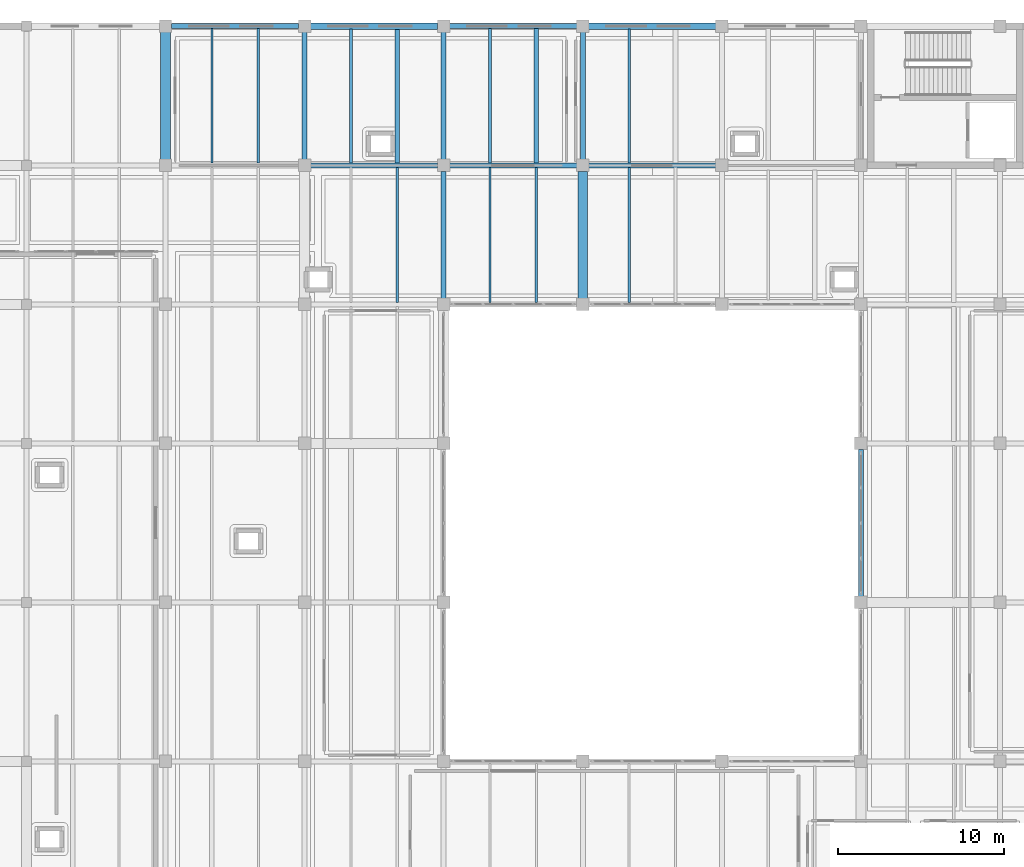
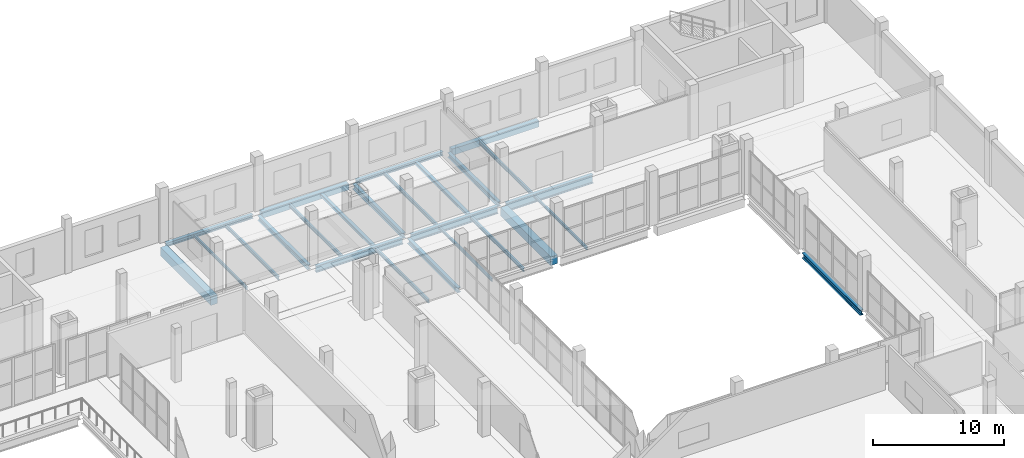
# One storey, part 45 of 77: 25 beams.
"""IFC4 building model written with IfcOpenShell, lengths in metres."""

from ifc_helpers import new_model, si_unit, direction, frame, origin, origin_2d, place, context, subcontext, project, spatial, rectangle, i_section, extrude, material, material_profile, profile_set, type_object, element, save


model = new_model("IFC4")

# Units and contexts
model_context = context("Model", 3, precision=1e-05, world=origin(), true_north=direction((0.0, 1.0)))
body_context = subcontext(model_context, "Body", "Model", "MODEL_VIEW")
ifc_project = project(units=[si_unit("LENGTHUNIT", "METRE"), si_unit("AREAUNIT", "SQUARE_METRE"), si_unit("VOLUMEUNIT", "CUBIC_METRE"), si_unit("PLANEANGLEUNIT", "RADIAN"), si_unit("MASSUNIT", "GRAM", prefix="KILO")], contexts=[model_context])

# Site, building, storey
site_placement = place(None, origin())
site = spatial("IfcSite", under=ifc_project, at=site_placement, CompositionType="ELEMENT")
building_placement = place(site_placement, origin())
building = spatial("IfcBuilding", under=site, at=building_placement, Name="Zulmaris Art Gallery", CompositionType="ELEMENT")
storey_placement = place(building_placement, frame((0.0, 0.0, 15.60009765625)))
storey = spatial("IfcBuildingStorey", under=building, at=storey_placement, Name="L03", CompositionType="ELEMENT", Elevation=15.60009765625)

# Beams
ifc_material_1 = material(Name="Steel S355J2", Category="steel")
ifc_material_profile_1 = material_profile(ifc_material_1, i_section(OverallWidth=0.300048828125, OverallDepth=0.43994140625, WebThickness=0.011474609375, FlangeThickness=0.02099609375, FilletRadius=0.027099609375, at=origin_2d()), Name="HEA 450")
ifc_profile_set_1 = profile_set([ifc_material_profile_1], Name="Steel S355J2")
beam_type_1 = type_object("IfcBeamType", Name="BEAM-BM10", PredefinedType="BEAM", material=ifc_profile_set_1)
beam_1_placement = place(storey_placement, frame((150.0, 67.56005859375, -0.6201171875), z_axis=(0.0, 1.0, 0.0), x_axis=(-1.0, 0.0, 0.0)))
element("IfcBeam", 1, at=beam_1_placement, inside=storey, type_object=beam_type_1, Name="L03 Y-girder (x=150.0, 67.2..75.6)", PredefinedType="BEAM", context=body_context, shape_type="SweptSolid", body=[
    extrude(i_section(OverallWidth=0.300048828125, OverallDepth=0.43994140625, WebThickness=0.011474609375, FlangeThickness=0.02099609375, FilletRadius=0.027099609375, at=origin_2d()), origin(), (0.0, 0.0, 1.0), 7.679931640625),
])
beam_2_placement = place(storey_placement, frame((158.39990234375, 59.159912109375, -0.6201171875), z_axis=(0.0, 1.0, 0.0), x_axis=(-1.0, 0.0, 0.0)))
element("IfcBeam", 2, at=beam_2_placement, inside=storey, type_object=beam_type_1, Name="L03 Y-girder (x=158.4, 58.8..67.2)", PredefinedType="BEAM", context=body_context, shape_type="SweptSolid", body=[
    extrude(i_section(OverallWidth=0.300048828125, OverallDepth=0.43994140625, WebThickness=0.011474609375, FlangeThickness=0.02099609375, FilletRadius=0.027099609375, at=origin_2d()), origin(), (0.0, 0.0, 1.0), 7.68017578125),
])
beam_3_placement = place(storey_placement, frame((166.800048828125, 67.56005859375, -0.6201171875), z_axis=(0.0, 1.0, 0.0), x_axis=(-1.0, 0.0, 0.0)))
element("IfcBeam", 3, at=beam_3_placement, inside=storey, type_object=beam_type_1, Name="L03 Y-girder (x=166.8, 67.2..75.6)", PredefinedType="BEAM", context=body_context, shape_type="SweptSolid", body=[
    extrude(i_section(OverallWidth=0.300048828125, OverallDepth=0.43994140625, WebThickness=0.011474609375, FlangeThickness=0.02099609375, FilletRadius=0.027099609375, at=origin_2d()), origin(), (0.0, 0.0, 1.0), 7.679931640625),
])
ifc_material_profile_2 = material_profile(ifc_material_1, i_section(OverallWidth=0.300048828125, OverallDepth=0.489990234375, WebThickness=0.011962890625, FlangeThickness=0.02294921875, FilletRadius=0.027099609375, at=origin_2d()), Name="HEA 500")
ifc_profile_set_2 = profile_set([ifc_material_profile_2], Name="Steel S355J2")
beam_type_2 = type_object("IfcBeamType", Name="BEAM-BM11", PredefinedType="BEAM", material=ifc_profile_set_2)
beam_4_placement = place(storey_placement, frame((158.39990234375, 67.56005859375, -0.614990234375), z_axis=(0.0, 1.0, 0.0), x_axis=(-1.0, 0.0, 0.0)))
element("IfcBeam", 4, at=beam_4_placement, inside=storey, type_object=beam_type_2, Name="L03 Y-girder (x=158.4, 67.2..75.6)", PredefinedType="BEAM", context=body_context, shape_type="SweptSolid", body=[
    extrude(i_section(OverallWidth=0.300048828125, OverallDepth=0.489990234375, WebThickness=0.011962890625, FlangeThickness=0.02294921875, FilletRadius=0.027099609375, at=origin_2d()), origin(), (0.0, 0.0, 1.0), 7.679931640625),
])
beam_5_placement = place(storey_placement, frame((183.60009765625, 41.159912109375, -0.614990234375), z_axis=(0.0, 1.0, 0.0), x_axis=(-1.0, 0.0, 0.0)))
element("IfcBeam", 5, at=beam_5_placement, inside=storey, type_object=beam_type_2, Name="L03 Y-girder (x=183.6, 40.8..50.4)", PredefinedType="BEAM", context=body_context, shape_type="SweptSolid", body=[
    extrude(i_section(OverallWidth=0.300048828125, OverallDepth=0.489990234375, WebThickness=0.011962890625, FlangeThickness=0.02294921875, FilletRadius=0.027099609375, at=origin_2d()), origin(), (0.0, 0.0, 1.0), 8.880126953125),
])
ifc_material_profile_3 = material_profile(ifc_material_1, i_section(OverallWidth=0.300048828125, OverallDepth=0.60009765625, WebThickness=0.015380859375, FlangeThickness=0.030029296875, FilletRadius=0.027099609375, at=origin_2d()), Name="HEB 600")
ifc_profile_set_3 = profile_set([ifc_material_profile_3], Name="Steel S355J2")
beam_type_3 = type_object("IfcBeamType", Name="BEAM-BM15", PredefinedType="BEAM", material=ifc_profile_set_3)
beam_6_placement = place(storey_placement, frame((150.360107421875, 67.199951171875, -0.670166015625), z_axis=(1.0, 0.0, 0.0), x_axis=(0.0, 1.0, 0.0)))
element("IfcBeam", 6, at=beam_6_placement, inside=storey, type_object=beam_type_3, Name="L03 X-girder (150.0..158.4, y=67.2)", PredefinedType="BEAM", context=body_context, shape_type="SweptSolid", body=[
    extrude(i_section(OverallWidth=0.300048828125, OverallDepth=0.60009765625, WebThickness=0.015380859375, FlangeThickness=0.030029296875, FilletRadius=0.027099609375, at=origin_2d()), origin(), (0.0, 0.0, 1.0), 7.679931640625),
])
ifc_material_profile_4 = material_profile(ifc_material_1, i_section(OverallWidth=0.300048828125, OverallDepth=0.699951171875, WebThickness=0.01708984375, FlangeThickness=0.031982421875, FilletRadius=0.027099609375, at=origin_2d()), Name="HEB 700")
ifc_profile_set_4 = profile_set([ifc_material_profile_4], Name="Steel S355J2")
beam_type_4 = type_object("IfcBeamType", Name="BEAM-BM16", PredefinedType="BEAM", material=ifc_profile_set_4)
beam_7_placement = place(storey_placement, frame((158.760009765625, 67.199951171875, -0.72021484375), z_axis=(1.0, 0.0, 0.0), x_axis=(0.0, 1.0, 0.0)))
element("IfcBeam", 7, at=beam_7_placement, inside=storey, type_object=beam_type_4, Name="L03 X-girder (158.4..166.8, y=67.2)", PredefinedType="BEAM", context=body_context, shape_type="SweptSolid", body=[
    extrude(i_section(OverallWidth=0.300048828125, OverallDepth=0.699951171875, WebThickness=0.01708984375, FlangeThickness=0.031982421875, FilletRadius=0.027099609375, at=origin_2d()), origin(), (0.0, 0.0, 1.0), 7.679931640625),
])
ifc_material_profile_5 = material_profile(ifc_material_1, i_section(OverallWidth=0.300048828125, OverallDepth=0.800048828125, WebThickness=0.017578125, FlangeThickness=0.032958984375, FilletRadius=0.030029296875, at=origin_2d()), Name="HEB 800")
ifc_profile_set_5 = profile_set([ifc_material_profile_5], Name="Steel S355J2")
beam_type_5 = type_object("IfcBeamType", Name="BEAM-BM17", PredefinedType="BEAM", material=ifc_profile_set_5)
beam_8_placement = place(storey_placement, frame((167.159912109375, 67.199951171875, -0.77001953125), z_axis=(1.0, 0.0, 0.0), x_axis=(0.0, 1.0, 0.0)))
element("IfcBeam", 8, at=beam_8_placement, inside=storey, type_object=beam_type_5, Name="L03 X-girder (166.8..175.2, y=67.2)", PredefinedType="BEAM", context=body_context, shape_type="SweptSolid", body=[
    extrude(i_section(OverallWidth=0.300048828125, OverallDepth=0.800048828125, WebThickness=0.017578125, FlangeThickness=0.032958984375, FilletRadius=0.030029296875, at=origin_2d()), origin(), (0.0, 0.0, 1.0), 7.68017578125),
])
ifc_material_2 = material(Name="Concrete C40/50", Category="concrete")
ifc_material_profile_6 = material_profile(ifc_material_2, rectangle(XDim=0.60009765625, YDim=0.800048828125, at=origin_2d()), Name="RC 600x800")
ifc_profile_set_6 = profile_set([ifc_material_profile_6], Name="Concrete C40/50")
beam_type_6 = type_object("IfcBeamType", Name="BEAM-BM27", PredefinedType="BEAM", material=ifc_profile_set_6)
beam_9_placement = place(storey_placement, frame((141.60009765625, 67.56005859375, -0.77001953125), z_axis=(0.0, 1.0, 0.0), x_axis=(-1.0, 0.0, 0.0)))
element("IfcBeam", 9, at=beam_9_placement, inside=storey, type_object=beam_type_6, Name="L03 Y-girder (x=141.6, 67.2..75.6)", PredefinedType="BEAM", context=body_context, shape_type="SweptSolid", body=[
    extrude(rectangle(XDim=0.60009765625, YDim=0.800048828125, at=origin_2d()), origin(), (0.0, 0.0, 1.0), 7.679931640625),
])
beam_10_placement = place(storey_placement, frame((166.800048828125, 59.159912109375, -0.77001953125), z_axis=(0.0, 1.0, 0.0), x_axis=(-1.0, 0.0, 0.0)))
element("IfcBeam", 10, at=beam_10_placement, inside=storey, type_object=beam_type_6, Name="L03 Y-girder (x=166.8, 58.8..67.2)", PredefinedType="BEAM", context=body_context, shape_type="SweptSolid", body=[
    extrude(rectangle(XDim=0.60009765625, YDim=0.800048828125, at=origin_2d()), origin(), (0.0, 0.0, 1.0), 7.68017578125),
])
ifc_material_profile_7 = material_profile(ifc_material_1, i_section(OverallWidth=0.135009765625, OverallDepth=0.27001953125, WebThickness=0.006591796875, FlangeThickness=0.01025390625, FilletRadius=0.014892578125, at=origin_2d()), Name="IPE 270")
ifc_profile_set_7 = profile_set([ifc_material_profile_7], Name="Steel S355J2")
beam_type_7 = type_object("IfcBeamType", Name="BEAM-JS02", PredefinedType="JOIST", material=ifc_profile_set_7)
beam_11_placement = place(storey_placement, frame((144.39990234375, 67.324951171875, -0.505126953125), z_axis=(0.0, 1.0, 0.0), x_axis=(-1.0, 0.0, 0.0)))
element("IfcBeam", 11, at=beam_11_placement, inside=storey, type_object=beam_type_7, Name="L03 secondary joist at x=144.4", PredefinedType="JOIST", context=body_context, shape_type="SweptSolid", body=[
    extrude(i_section(OverallWidth=0.135009765625, OverallDepth=0.27001953125, WebThickness=0.006591796875, FlangeThickness=0.01025390625, FilletRadius=0.014892578125, at=origin_2d()), origin(), (0.0, 0.0, 1.0), 8.150146484375),
])
for number, where, z_axis, x_axis, name in (
    (12, (161.199951171875, 58.925048828125, -0.505126953125), (0.0, 1.0, 0.0), (-1.0, 0.0, 0.0), "L03 secondary joist at x=161.2"),
    (13, (169.60009765625, 58.925048828125, -0.505126953125), (0.0, 1.0, 0.0), (-1.0, 0.0, 0.0), "L03 secondary joist at x=169.6"),
):
    element("IfcBeam", number, at=place(storey_placement, frame(where, z_axis=z_axis, x_axis=x_axis)), inside=storey, type_object=beam_type_7, Name=name, PredefinedType="JOIST", context=body_context, shape_type="SweptSolid", body=[
        extrude(i_section(OverallWidth=0.135009765625, OverallDepth=0.27001953125, WebThickness=0.006591796875, FlangeThickness=0.01025390625, FilletRadius=0.014892578125, at=origin_2d()), origin(), (0.0, 0.0, 1.0), 8.14990234375),
    ])
ifc_material_profile_8 = material_profile(ifc_material_1, i_section(OverallWidth=0.159912109375, OverallDepth=0.330078125, WebThickness=0.007568359375, FlangeThickness=0.011474609375, FilletRadius=0.01806640625, at=origin_2d()), Name="IPE 330")
ifc_profile_set_8 = profile_set([ifc_material_profile_8], Name="Steel S355J2")
beam_type_8 = type_object("IfcBeamType", Name="BEAM-JS03", PredefinedType="JOIST", material=ifc_profile_set_8)
beam_12_placement = place(storey_placement, frame((147.199951171875, 67.324951171875, -0.53515625), z_axis=(0.0, 1.0, 0.0), x_axis=(-1.0, 0.0, 0.0)))
element("IfcBeam", 14, at=beam_12_placement, inside=storey, type_object=beam_type_8, Name="L03 secondary joist at x=147.2", PredefinedType="JOIST", context=body_context, shape_type="SweptSolid", body=[
    extrude(i_section(OverallWidth=0.159912109375, OverallDepth=0.330078125, WebThickness=0.007568359375, FlangeThickness=0.011474609375, FilletRadius=0.01806640625, at=origin_2d()), origin(), (0.0, 0.0, 1.0), 8.150146484375),
])
beam_13_placement = place(storey_placement, frame((155.60009765625, 58.925048828125, -0.53515625), z_axis=(0.0, 1.0, 0.0), x_axis=(-1.0, 0.0, 0.0)))
element("IfcBeam", 15, at=beam_13_placement, inside=storey, type_object=beam_type_8, Name="L03 secondary joist at x=155.6", PredefinedType="JOIST", context=body_context, shape_type="SweptSolid", body=[
    extrude(i_section(OverallWidth=0.159912109375, OverallDepth=0.330078125, WebThickness=0.007568359375, FlangeThickness=0.011474609375, FilletRadius=0.01806640625, at=origin_2d()), origin(), (0.0, 0.0, 1.0), 8.14990234375),
])
beam_14_placement = place(storey_placement, frame((152.800048828125, 67.324951171875, -0.53515625), z_axis=(0.0, 1.0, 0.0), x_axis=(-1.0, 0.0, 0.0)))
element("IfcBeam", 16, at=beam_14_placement, inside=storey, type_object=beam_type_8, Name="L03 secondary joist at x=152.8", PredefinedType="JOIST", context=body_context, shape_type="SweptSolid", body=[
    extrude(i_section(OverallWidth=0.159912109375, OverallDepth=0.330078125, WebThickness=0.007568359375, FlangeThickness=0.011474609375, FilletRadius=0.01806640625, at=origin_2d()), origin(), (0.0, 0.0, 1.0), 8.10009765625),
])
beam_15_placement = place(storey_placement, frame((164.0, 58.925048828125, -0.53515625), z_axis=(0.0, 1.0, 0.0), x_axis=(-1.0, 0.0, 0.0)))
element("IfcBeam", 17, at=beam_15_placement, inside=storey, type_object=beam_type_8, Name="L03 secondary joist at x=164.0", PredefinedType="JOIST", context=body_context, shape_type="SweptSolid", body=[
    extrude(i_section(OverallWidth=0.159912109375, OverallDepth=0.330078125, WebThickness=0.007568359375, FlangeThickness=0.011474609375, FilletRadius=0.01806640625, at=origin_2d()), origin(), (0.0, 0.0, 1.0), 8.14990234375),
])
beam_16_placement = place(storey_placement, frame((161.199951171875, 67.324951171875, -0.53515625), z_axis=(0.0, 1.0, 0.0), x_axis=(-1.0, 0.0, 0.0)))
element("IfcBeam", 18, at=beam_16_placement, inside=storey, type_object=beam_type_8, Name="L03 secondary joist at x=161.2", PredefinedType="JOIST", context=body_context, shape_type="SweptSolid", body=[
    extrude(i_section(OverallWidth=0.159912109375, OverallDepth=0.330078125, WebThickness=0.007568359375, FlangeThickness=0.011474609375, FilletRadius=0.01806640625, at=origin_2d()), origin(), (0.0, 0.0, 1.0), 8.150146484375),
])
beam_17_placement = place(storey_placement, frame((169.60009765625, 67.324951171875, -0.53515625), z_axis=(0.0, 1.0, 0.0), x_axis=(-1.0, 0.0, 0.0)))
element("IfcBeam", 19, at=beam_17_placement, inside=storey, type_object=beam_type_8, Name="L03 secondary joist at x=169.6", PredefinedType="JOIST", context=body_context, shape_type="SweptSolid", body=[
    extrude(i_section(OverallWidth=0.159912109375, OverallDepth=0.330078125, WebThickness=0.007568359375, FlangeThickness=0.011474609375, FilletRadius=0.01806640625, at=origin_2d()), origin(), (0.0, 0.0, 1.0), 8.10009765625),
])
ifc_material_profile_9 = material_profile(ifc_material_1, i_section(OverallWidth=0.280029296875, OverallDepth=0.27001953125, WebThickness=0.008056640625, FlangeThickness=0.012939453125, FilletRadius=0.02392578125, at=origin_2d()), Name="HEA 280")
ifc_profile_set_9 = profile_set([ifc_material_profile_9], Name="Steel S355J2")
beam_type_9 = type_object("IfcBeamType", Name="BEAM-JS04", PredefinedType="JOIST", material=ifc_profile_set_9)
beam_18_placement = place(storey_placement, frame((155.60009765625, 67.324951171875, -0.505126953125), z_axis=(0.0, 1.0, 0.0), x_axis=(-1.0, 0.0, 0.0)))
element("IfcBeam", 20, at=beam_18_placement, inside=storey, type_object=beam_type_9, Name="L03 secondary joist at x=155.6", PredefinedType="JOIST", context=body_context, shape_type="SweptSolid", body=[
    extrude(i_section(OverallWidth=0.280029296875, OverallDepth=0.27001953125, WebThickness=0.008056640625, FlangeThickness=0.012939453125, FilletRadius=0.02392578125, at=origin_2d()), origin(), (0.0, 0.0, 1.0), 8.10009765625),
])
beam_19_placement = place(storey_placement, frame((164.0, 67.324951171875, -0.505126953125), z_axis=(0.0, 1.0, 0.0), x_axis=(-1.0, 0.0, 0.0)))
element("IfcBeam", 21, at=beam_19_placement, inside=storey, type_object=beam_type_9, Name="L03 secondary joist at x=164.0", PredefinedType="JOIST", context=body_context, shape_type="SweptSolid", body=[
    extrude(i_section(OverallWidth=0.280029296875, OverallDepth=0.27001953125, WebThickness=0.008056640625, FlangeThickness=0.012939453125, FilletRadius=0.02392578125, at=origin_2d()), origin(), (0.0, 0.0, 1.0), 8.150146484375),
])
ifc_material_profile_10 = material_profile(ifc_material_1, i_section(OverallWidth=0.300048828125, OverallDepth=0.35009765625, WebThickness=0.010009765625, FlangeThickness=0.017578125, FilletRadius=0.027099609375, at=origin_2d()), Name="HEA 360")
ifc_profile_set_10 = profile_set([ifc_material_profile_10], Name="Steel S355J2")
beam_type_10 = type_object("IfcBeamType", Name="BEAM-SP01", PredefinedType="SPANDREL", material=ifc_profile_set_10)
for number, where, z_axis, x_axis, name in (
    (22, (141.9599609375, 75.60009765625, -0.545166015625), (1.0, 0.0, 0.0), (0.0, 1.0, 0.0), "L03 X-girder (141.6..150.0, y=75.6)"),
    (23, (158.760009765625, 75.60009765625, -0.545166015625), (1.0, 0.0, 0.0), (0.0, 1.0, 0.0), "L03 X-girder (158.4..166.8, y=75.6)"),
):
    element("IfcBeam", number, at=place(storey_placement, frame(where, z_axis=z_axis, x_axis=x_axis)), inside=storey, type_object=beam_type_10, Name=name, PredefinedType="SPANDREL", context=body_context, shape_type="SweptSolid", body=[
        extrude(i_section(OverallWidth=0.300048828125, OverallDepth=0.35009765625, WebThickness=0.010009765625, FlangeThickness=0.017578125, FilletRadius=0.027099609375, at=origin_2d()), origin(), (0.0, 0.0, 1.0), 7.679931640625),
    ])
ifc_material_profile_11 = material_profile(ifc_material_2, rectangle(XDim=0.39990234375, YDim=0.60009765625, at=origin_2d()), Name="RC 400x600")
ifc_profile_set_11 = profile_set([ifc_material_profile_11], Name="Concrete C40/50")
beam_type_11 = type_object("IfcBeamType", Name="BEAM-SP03", PredefinedType="SPANDREL", material=ifc_profile_set_11)
beam_20_placement = place(storey_placement, frame((150.360107421875, 75.60009765625, -0.670166015625), z_axis=(1.0, 0.0, 0.0), x_axis=(0.0, 1.0, 0.0)))
element("IfcBeam", 24, at=beam_20_placement, inside=storey, type_object=beam_type_11, Name="L03 X-girder (150.0..158.4, y=75.6)", PredefinedType="SPANDREL", context=body_context, shape_type="SweptSolid", body=[
    extrude(rectangle(XDim=0.39990234375, YDim=0.60009765625, at=origin_2d()), origin(), (0.0, 0.0, 1.0), 7.679931640625),
])
beam_21_placement = place(storey_placement, frame((167.159912109375, 75.60009765625, -0.670166015625), z_axis=(1.0, 0.0, 0.0), x_axis=(0.0, 1.0, 0.0)))
element("IfcBeam", 25, at=beam_21_placement, inside=storey, type_object=beam_type_11, Name="L03 X-girder (166.8..175.2, y=75.6)", PredefinedType="SPANDREL", context=body_context, shape_type="SweptSolid", body=[
    extrude(rectangle(XDim=0.39990234375, YDim=0.60009765625, at=origin_2d()), origin(), (0.0, 0.0, 1.0), 7.68017578125),
])

save(model, "model.ifc")
